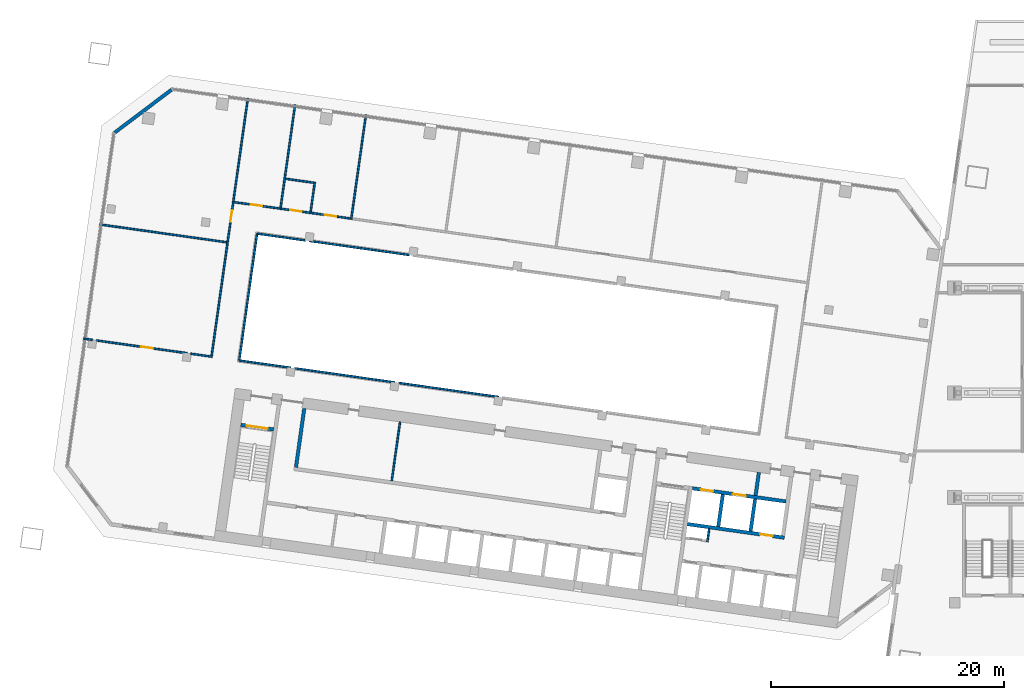
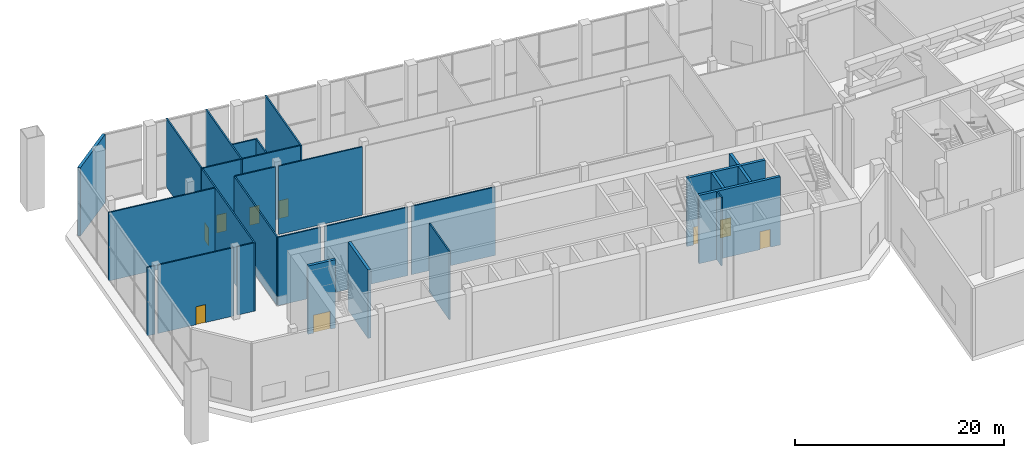
# One storey, part 18 of 31: 28 walls, 9 doors, 9 openings.
"""IFC4 building model written with IfcOpenShell, lengths in metres."""

from ifc_helpers import new_model, si_unit, direction, frame, frame_2d, origin, place, context, subcontext, project, spatial, rectangle, extrude, material, layer, layer_set, type_object, element, fill, save


model = new_model("IFC4")

# Units and contexts
model_context = context("Model", 3, precision=1e-05, world=origin(), true_north=direction((0.0, 1.0)))
body_context = subcontext(model_context, "Body", "Model", "MODEL_VIEW")
ifc_project = project(units=[si_unit("LENGTHUNIT", "METRE"), si_unit("AREAUNIT", "SQUARE_METRE"), si_unit("VOLUMEUNIT", "CUBIC_METRE"), si_unit("PLANEANGLEUNIT", "RADIAN"), si_unit("MASSUNIT", "GRAM", prefix="KILO")], contexts=[model_context])

# Site, building, storey
site_placement = place(None, origin())
site = spatial("IfcSite", under=ifc_project, at=site_placement, CompositionType="ELEMENT")
building_placement = place(site_placement, origin())
building = spatial("IfcBuilding", under=site, at=building_placement, Name="Mirante Cascada Hotel Towers", CompositionType="ELEMENT")
storey_placement = place(building_placement, frame((0.0, 0.0, 9.0)))
storey = spatial("IfcBuildingStorey", under=building, at=storey_placement, Name="L01", CompositionType="ELEMENT", Elevation=9.0)

# Walls
ifc_material_1 = material(Name="Masonry block", Category="masonry")
ifc_layer_1 = layer(ifc_material_1, 0.15)
ifc_layer_set_1 = layer_set([ifc_layer_1], Name="Core room partition 150 block EI 30")
wall_type_1 = type_object("IfcWallType", Name="Core room partition 150 block EI 30", PredefinedType="PARTITIONING", material=ifc_layer_set_1)
wall_1_placement = place(storey_placement, frame((-48.2295, -12.793, 0.0), z_axis=(0.0, 0.0, 1.0), x_axis=(0.1391935, 0.9902652, 0.0)))
element("IfcWall", 1, at=wall_1_placement, inside=storey, type_object=wall_type_1, Name="Core wall partition T1 L01 2", PredefinedType="PARTITIONING", context=body_context, shape_type="SweptSolid", body=[
    extrude(rectangle(XDim=1.1251, YDim=0.15, at=frame_2d((0.5626, 0.0))), origin(), (0.0, 0.0, 1.0), 8.0),
])
wall_2_placement = place(storey_placement, frame((-75.3131, -7.5476, 0.0), z_axis=(0.0, 0.0, 1.0), x_axis=(0.1391782, 0.9902673, 0.0)))
element("IfcWall", 2, at=wall_2_placement, inside=storey, type_object=wall_type_1, Name="Core wall partition T1 L01 5", PredefinedType="PARTITIONING", context=body_context, shape_type="SweptSolid", body=[
    extrude(rectangle(XDim=5.0999, YDim=0.15, at=frame_2d((2.55, 0.0))), origin(), (0.0, 0.0, 1.0), 8.0),
])
ifc_material_2 = material(Name="Masonry block", Category="masonry")
ifc_layer_2 = layer(ifc_material_2, 0.3)
ifc_layer_set_2 = layer_set([ifc_layer_2], Name="Core wall 300 block EI 120")
wall_type_2 = type_object("IfcWallType", Name="Core wall 300 block EI 120", PredefinedType="PARTITIONING", material=ifc_layer_set_2)
wall_3_placement = place(storey_placement, frame((-44.0843, -8.8061, 0.0), z_axis=(0.0, 0.0, 1.0), x_axis=(0.1391951, 0.990265, 0.0)))
element("IfcWall", 3, at=wall_3_placement, inside=storey, type_object=wall_type_2, Name="Core wall partition T1 L01 1", PredefinedType="PARTITIONING", context=body_context, shape_type="SweptSolid", body=[
    extrude(rectangle(XDim=2.0001, YDim=0.3, at=frame_2d((1.0001, 0.0))), origin(), (0.0, 0.0, 1.0), 8.0),
])
ifc_material_3 = material(Name="Masonry block", Category="masonry")
ifc_layer_3 = layer(ifc_material_3, 0.15)
ifc_layer_set_3 = layer_set([ifc_layer_3], Name="Corridor wall 150 block")
wall_type_3 = type_object("IfcWallType", Name="Corridor wall 150 block", PredefinedType="PARTITIONING", material=ifc_layer_set_3)
wall_4_placement = place(storey_placement, frame((-101.7725, 4.6536, 0.0), z_axis=(0.0, 0.0, 1.0), x_axis=(0.9902566, -0.1392548, 0.0)))
element("IfcWall", 4, at=wall_4_placement, inside=storey, type_object=wall_type_3, Name="Corridor wall T1 L01", PredefinedType="PARTITIONING", context=body_context, shape_type="SweptSolid", body=[
    extrude(rectangle(XDim=0.7756, YDim=0.15, at=frame_2d((0.3878, 0.0))), origin(), (0.0, 0.0, 1.0), 8.0),
])
wall_5_placement = place(storey_placement, frame((-88.3742, 2.7705, 0.0), z_axis=(0.0, 0.0, 1.0), x_axis=(0.9902682, -0.1391725, 0.0)))
element("IfcWall", 5, at=wall_5_placement, inside=storey, type_object=wall_type_3, Name="Corridor wall T1 L01", PredefinedType="PARTITIONING", context=body_context, shape_type="SweptSolid", body=[
    extrude(rectangle(XDim=4.4456, YDim=0.15, at=frame_2d((2.2228, 0.0))), origin(), (0.0, 0.0, 1.0), 8.0),
])
wall_6_placement = place(storey_placement, frame((-86.8433, 13.6635, 0.0), z_axis=(0.0, 0.0, 1.0), x_axis=(0.9902672, -0.1391794, 0.0)))
element("IfcWall", 6, at=wall_6_placement, inside=storey, type_object=wall_type_3, Name="Corridor wall T1 L01", PredefinedType="PARTITIONING", context=body_context, shape_type="SweptSolid", body=[
    extrude(rectangle(XDim=4.1658, YDim=0.15, at=frame_2d((2.0829, 0.0))), origin(), (0.0, 0.0, 1.0), 8.0),
])

# Wall, opening, door
wall_7_placement = place(storey_placement, frame((-88.9899, 16.3888, 0.0), z_axis=(0.0, 0.0, 1.0), x_axis=(0.9902667, -0.1391828, 0.0)))
wall_7 = element("IfcWall", 7, at=wall_7_placement, inside=storey, type_object=wall_type_3, Name="Corridor wall T1 L01", PredefinedType="PARTITIONING", context=body_context, shape_type="SweptSolid", body=[
    extrude(rectangle(XDim=4.1032, YDim=0.15, at=frame_2d((2.0516, 0.0))), origin(), (0.0, 0.0, 1.0), 8.0),
])
opening_1_placement = place(wall_7_placement, frame((1.5891, 0.0, 0.0)))
opening_1 = element("IfcOpeningElement", 8, at=opening_1_placement, cuts=wall_7, Name="Opening DP1-L01-10", PredefinedType="OPENING", context=body_context, shape_type="SweptSolid", body=[
    extrude(rectangle(XDim=1.0, YDim=2.1, at=frame_2d((0.5, 1.05))), frame((0.0, 0.075, 0.0), z_axis=(0.0, -1.0, 0.0), x_axis=(1.0, 0.0, 0.0)), (0.0, 0.0, 1.0), 0.15),
])
ifc_material_4 = material(Name="Timber door leaf", Category="wood")
door_type_1 = type_object("IfcDoorType", Name="Single door 1000x2100", OperationType="NOTDEFINED", PredefinedType="DOOR", material=ifc_material_4)
door_1_placement = place(opening_1_placement, origin())
door_1 = element("IfcDoor", 9, at=door_1_placement, inside=storey, type_object=door_type_1, Name="Door DP1-L01-10", OperationType="SINGLE_SWING_RIGHT", OverallHeight=2.1, OverallWidth=1.0, PredefinedType="DOOR", context=body_context, shape_type="SweptSolid", body=[
    extrude(rectangle(XDim=1.0, YDim=2.1, at=frame_2d((0.5, 1.05))), frame((0.0, 0.025, 0.0), z_axis=(0.0, -1.0, 0.0), x_axis=(1.0, 0.0, 0.0)), (0.0, 0.0, 1.0), 0.05),
])
fill(opening_1, door_1)

# Wall
wall_8_placement = place(storey_placement, frame((-88.3997, 2.8044, 0.0), z_axis=(0.0, 0.0, 1.0), x_axis=(0.1391764, 0.9902676, 0.0)))
element("IfcWall", 10, at=wall_8_placement, inside=storey, type_object=wall_type_3, Name="Corridor wall T1 L01", PredefinedType="PARTITIONING", context=body_context, shape_type="SweptSolid", body=[
    extrude(rectangle(XDim=10.9401, YDim=0.15, at=frame_2d((5.47, 0.0))), origin(), (0.0, 0.0, 1.0), 8.0),
])

# Wall, opening, door
wall_9_placement = place(storey_placement, frame((-90.791, 3.0345, 0.0), z_axis=(0.0, 0.0, 1.0), x_axis=(0.1391738, 0.990268, 0.0)))
wall_9 = element("IfcWall", 11, at=wall_9_placement, inside=storey, type_object=wall_type_3, Name="Corridor wall T1 L01", PredefinedType="PARTITIONING", context=body_context, shape_type="SweptSolid", body=[
    extrude(rectangle(XDim=13.55, YDim=0.15, at=frame_2d((6.775, 0.0))), origin(), (0.0, 0.0, 1.0), 8.0),
])
opening_2_placement = place(wall_9_placement, frame((11.775, 0.0, 0.0)))
opening_2 = element("IfcOpeningElement", 12, at=opening_2_placement, cuts=wall_9, Name="Opening DP1-L01-04", PredefinedType="OPENING", context=body_context, shape_type="SweptSolid", body=[
    extrude(rectangle(XDim=1.0, YDim=2.1, at=frame_2d((0.5, 1.05))), frame((0.0, 0.075, 0.0), z_axis=(0.0, -1.0, 0.0), x_axis=(1.0, 0.0, 0.0)), (0.0, 0.0, 1.0), 0.15),
])
door_2_placement = place(opening_2_placement, origin())
door_2 = element("IfcDoor", 13, at=door_2_placement, inside=storey, type_object=door_type_1, Name="Door DP1-L01-04", OperationType="SINGLE_SWING_RIGHT", OverallHeight=2.1, OverallWidth=1.0, PredefinedType="DOOR", context=body_context, shape_type="SweptSolid", body=[
    extrude(rectangle(XDim=1.0, YDim=2.1, at=frame_2d((0.5, 1.05))), frame((0.0, 0.025, 0.0), z_axis=(0.0, -1.0, 0.0), x_axis=(1.0, 0.0, 0.0)), (0.0, 0.0, 1.0), 0.05),
])
fill(opening_2, door_2)

wall_10_placement = place(storey_placement, frame((-100.679, 4.4999, 0.0), z_axis=(0.0, 0.0, 1.0), x_axis=(0.9902679, -0.1391746, 0.0)))
wall_10 = element("IfcWall", 14, at=wall_10_placement, inside=storey, type_object=wall_type_3, Name="Corridor wall T1 L01", PredefinedType="PARTITIONING", context=body_context, shape_type="SweptSolid", body=[
    extrude(rectangle(XDim=7.8714, YDim=0.15, at=frame_2d((3.9357, 0.0))), origin(), (0.0, 0.0, 1.0), 8.0),
])
opening_3_placement = place(wall_10_placement, frame((3.9133, 0.0, 0.0)))
opening_3 = element("IfcOpeningElement", 15, at=opening_3_placement, cuts=wall_10, Name="Opening DP1-L01-03", PredefinedType="OPENING", context=body_context, shape_type="SweptSolid", body=[
    extrude(rectangle(XDim=1.0, YDim=2.1, at=frame_2d((0.5, 1.05))), frame((0.0, 0.075, 0.0), z_axis=(0.0, -1.0, 0.0), x_axis=(1.0, 0.0, 0.0)), (0.0, 0.0, 1.0), 0.15),
])
door_3_placement = place(opening_3_placement, origin())
door_3 = element("IfcDoor", 16, at=door_3_placement, inside=storey, type_object=door_type_1, Name="Door DP1-L01-03", OperationType="SINGLE_SWING_LEFT", OverallHeight=2.1, OverallWidth=1.0, PredefinedType="DOOR", context=body_context, shape_type="SweptSolid", body=[
    extrude(rectangle(XDim=1.0, YDim=2.1, at=frame_2d((0.5, 1.05))), frame((0.0, 0.025, 0.0), z_axis=(0.0, -1.0, 0.0), x_axis=(1.0, 0.0, 0.0)), (0.0, 0.0, 1.0), 0.05),
])
fill(opening_3, door_3)

# Walls
wall_11_placement = place(storey_placement, frame((-92.5588, 3.3587, 0.0), z_axis=(0.0, 0.0, 1.0), x_axis=(0.9902659, -0.1391884, 0.0)))
element("IfcWall", 17, at=wall_11_placement, inside=storey, type_object=wall_type_3, Name="Corridor wall T1 L01", PredefinedType="PARTITIONING", context=body_context, shape_type="SweptSolid", body=[
    extrude(rectangle(XDim=1.7307, YDim=0.15, at=frame_2d((0.8654, 0.0))), origin(), (0.0, 0.0, 1.0), 8.0),
])
for number, where, z_axis, x_axis, name in (
    (18, (-83.6464, 2.1061, 0.0), (0.0, 0.0, 1.0), (0.9902682, -0.139172, 0.0), "Corridor wall T1 L01"),
    (19, (-74.734, 0.8535, 0.0), (0.0, 0.0, 1.0), (0.9902682, -0.139172, 0.0), "Corridor wall T1 L01"),
    (20, (-82.3925, 13.038, 0.0), (0.0, 0.0, 1.0), (0.9902682, -0.139172, 0.0), "Corridor wall T1 L01"),
):
    element("IfcWall", number, at=place(storey_placement, frame(where, z_axis=z_axis, x_axis=x_axis)), inside=storey, type_object=wall_type_3, Name=name, PredefinedType="PARTITIONING", context=body_context, shape_type="SweptSolid", body=[
        extrude(rectangle(XDim=8.6713, YDim=0.15, at=frame_2d((4.3356, 0.0))), origin(), (0.0, 0.0, 1.0), 8.0),
    ])
ifc_material_5 = material(Name="Masonry block", Category="masonry")
ifc_layer_4 = layer(ifc_material_5, 0.15)
ifc_layer_set_4 = layer_set([ifc_layer_4], Name="Partition 150 block")
wall_type_4 = type_object("IfcWallType", Name="Partition 150 block", PredefinedType="PARTITIONING", material=ifc_layer_set_4)
wall_12_placement = place(storey_placement, frame((-100.3947, 14.4572, 0.0), z_axis=(0.0, 0.0, 1.0), x_axis=(0.9902679, -0.1391746, 0.0)))
element("IfcWall", 21, at=wall_12_placement, inside=storey, type_object=wall_type_4, Name="Partition T1 L01", PredefinedType="PARTITIONING", context=body_context, shape_type="SweptSolid", body=[
    extrude(rectangle(XDim=11.025, YDim=0.15, at=frame_2d((5.5125, 0.0))), origin(), (0.0, 0.0, 1.0), 8.0),
])
wall_13_placement = place(storey_placement, frame((-88.9065, 16.4427, 0.0), z_axis=(0.0, 0.0, 1.0), x_axis=(0.1391725, 0.9902682, 0.0)))
element("IfcWall", 22, at=wall_13_placement, inside=storey, type_object=wall_type_4, Name="Partition T1 L01", PredefinedType="PARTITIONING", context=body_context, shape_type="SweptSolid", body=[
    extrude(rectangle(XDim=8.935, YDim=0.15, at=frame_2d((4.4675, 0.0))), origin(), (0.0, 0.0, 1.0), 8.0),
])
ifc_material_6 = material(Name="Precast concrete C40/50", Category="concrete")
ifc_layer_5 = layer(ifc_material_6, 0.3)
ifc_layer_set_5 = layer_set([ifc_layer_5], Name="Precast concrete C40/50 cladding wall 300")
wall_type_5 = type_object("IfcWallType", Name="Precast concrete C40/50 cladding wall 300", PredefinedType="STANDARD", material=ifc_layer_set_5)
wall_14_placement = place(storey_placement, frame((-99.0919, 22.3343, 0.0), z_axis=(0.0, 0.0, 1.0), x_axis=(0.7986362, 0.6018141, 0.0)))
element("IfcWall", 23, at=wall_14_placement, inside=storey, type_object=wall_type_5, Name="Corner cladding wall T1 L01 outer front", PredefinedType="STANDARD", context=body_context, shape_type="SweptSolid", body=[
    extrude(rectangle(XDim=6.1157, YDim=0.3, at=frame_2d((3.0578, 0.0))), origin(), (0.0, 0.0, 1.0), 8.0),
])

# Wall, opening, door
ifc_material_7 = material(Name="Concrete C50/60", Category="concrete")
ifc_layer_6 = layer(ifc_material_7, 0.3)
ifc_layer_set_6 = layer_set([ifc_layer_6], Name="RC core wall 300 C50/60")
wall_type_6 = type_object("IfcWallType", Name="RC core wall 300 C50/60", PredefinedType="SHEAR", material=ifc_layer_set_6)
wall_15_placement = place(storey_placement, frame((-85.4489, -3.1441, 0.0), z_axis=(0.0, 0.0, 1.0), x_axis=(-0.9902697, 0.1391613, 0.0)))
wall_15 = element("IfcWall", 24, at=wall_15_placement, inside=storey, type_object=wall_type_6, Name="Core wall T1:L01:11", PredefinedType="SHEAR", context=body_context, shape_type="SweptSolid", body=[
    extrude(rectangle(XDim=2.8499, YDim=0.3, at=frame_2d((1.425, 0.0))), origin(), (0.0, 0.0, 1.0), 8.0),
])
opening_4_placement = place(wall_15_placement, frame((0.525, 0.0, 0.0)))
opening_4 = element("IfcOpeningElement", 25, at=opening_4_placement, cuts=wall_15, Name="Opening D1-01-C20", PredefinedType="OPENING", context=body_context, shape_type="SweptSolid", body=[
    extrude(rectangle(XDim=1.8, YDim=2.1, at=frame_2d((0.9, 1.05))), frame((0.0, 0.15, 0.0), z_axis=(0.0, -1.0, 0.0), x_axis=(1.0, 0.0, 0.0)), (0.0, 0.0, 1.0), 0.3),
])
ifc_material_8 = material(Name="Hollow metal fire door leaf")
door_type_2 = type_object("IfcDoorType", Name="Double fire door 1800x2100 FD60", OperationType="DOUBLE_DOOR_SINGLE_SWING", PredefinedType="DOOR", material=ifc_material_8)
door_4_placement = place(opening_4_placement, origin())
door_4 = element("IfcDoor", 26, at=door_4_placement, inside=storey, type_object=door_type_2, Name="Stair door T1 L01 20", OperationType="DOUBLE_DOOR_SINGLE_SWING", OverallHeight=2.1, OverallWidth=1.8, PredefinedType="DOOR", context=body_context, shape_type="SweptSolid", body=[
    extrude(rectangle(XDim=0.895, YDim=2.1, at=frame_2d((0.4475, 1.05))), frame((0.0, 0.025, 0.0), z_axis=(0.0, -1.0, 0.0), x_axis=(1.0, 0.0, 0.0)), (0.0, 0.0, 1.0), 0.05),
    extrude(rectangle(XDim=0.895, YDim=2.1, at=frame_2d((1.3525, 1.05))), frame((0.0, 0.025, 0.0), z_axis=(0.0, -1.0, 0.0), x_axis=(1.0, 0.0, 0.0)), (0.0, 0.0, 1.0), 0.05),
])
fill(opening_4, door_4)

wall_16_placement = place(storey_placement, frame((-41.6153, -12.435, 0.0), z_axis=(0.0, 0.0, 1.0), x_axis=(-0.9902691, 0.139166, 0.0)))
wall_16 = element("IfcWall", 27, at=wall_16_placement, inside=storey, type_object=wall_type_6, Name="Core wall T1:L01:13", PredefinedType="SHEAR", context=body_context, shape_type="SweptSolid", body=[
    extrude(rectangle(XDim=8.4, YDim=0.3, at=frame_2d((4.2, 0.0))), origin(), (0.0, 0.0, 1.0), 8.0),
])
opening_5_placement = place(wall_16_placement, frame((1.0, 0.0, 0.0)))
opening_5 = element("IfcOpeningElement", 28, at=opening_5_placement, cuts=wall_16, Name="Opening LD", PredefinedType="OPENING", context=body_context, shape_type="SweptSolid", body=[
    extrude(rectangle(XDim=1.1, YDim=2.1, at=frame_2d((0.55, 1.05))), frame((0.0, 0.15, 0.0), z_axis=(0.0, -1.0, 0.0), x_axis=(1.0, 0.0, 0.0)), (0.0, 0.0, 1.0), 0.3),
])
ifc_material_9 = material(Name="Stainless steel", Category="steel")
door_type_3 = type_object("IfcDoorType", Name="Lift landing door 1100x2100 EI 120", OperationType="DOUBLE_DOOR_SLIDING", PredefinedType="DOOR", material=ifc_material_9)
door_5_placement = place(opening_5_placement, origin())
door_5 = element("IfcDoor", 29, at=door_5_placement, inside=storey, type_object=door_type_3, Name="Lift landing door HR1-4 L01", OperationType="DOUBLE_DOOR_SLIDING", OverallHeight=2.1, OverallWidth=1.1, PredefinedType="DOOR", context=body_context, shape_type="SweptSolid", body=[
    extrude(rectangle(XDim=0.545, YDim=2.1, at=frame_2d((0.2725, 1.05))), frame((0.0, 0.025, 0.0), z_axis=(0.0, -1.0, 0.0), x_axis=(1.0, 0.0, 0.0)), (0.0, 0.0, 1.0), 0.05),
    extrude(rectangle(XDim=0.545, YDim=2.1, at=frame_2d((0.8275, 1.05))), frame((0.0, 0.025, 0.0), z_axis=(0.0, -1.0, 0.0), x_axis=(1.0, 0.0, 0.0)), (0.0, 0.0, 1.0), 0.05),
])
fill(opening_5, door_5)

# Wall, openings, doors
wall_17_placement = place(storey_placement, frame((-41.481, -9.3234, 0.0), z_axis=(0.0, 0.0, 1.0), x_axis=(-0.9902679, 0.1391741, 0.0)))
wall_17 = element("IfcWall", 30, at=wall_17_placement, inside=storey, type_object=wall_type_6, Name="Core wall T1:L01:14", PredefinedType="SHEAR", context=body_context, shape_type="SweptSolid", body=[
    extrude(rectangle(XDim=8.0999, YDim=0.3, at=frame_2d((4.05, 0.0))), origin(), (0.0, 0.0, 1.0), 8.0),
])
opening_6_placement = place(wall_17_placement, frame((3.5, 0.0, 0.0)))
opening_6 = element("IfcOpeningElement", 31, at=opening_6_placement, cuts=wall_17, Name="Opening LD", PredefinedType="OPENING", context=body_context, shape_type="SweptSolid", body=[
    extrude(rectangle(XDim=1.1, YDim=2.1, at=frame_2d((0.55, 1.05))), frame((0.0, 0.15, 0.0), z_axis=(0.0, -1.0, 0.0), x_axis=(1.0, 0.0, 0.0)), (0.0, 0.0, 1.0), 0.3),
])
opening_7_placement = place(wall_17_placement, frame((6.3, 0.0, 0.0)))
opening_7 = element("IfcOpeningElement", 32, at=opening_7_placement, cuts=wall_17, Name="Opening LD", PredefinedType="OPENING", context=body_context, shape_type="SweptSolid", body=[
    extrude(rectangle(XDim=1.1, YDim=2.1, at=frame_2d((0.55, 1.05))), frame((0.0, 0.15, 0.0), z_axis=(0.0, -1.0, 0.0), x_axis=(1.0, 0.0, 0.0)), (0.0, 0.0, 1.0), 0.3),
])
door_6_placement = place(opening_6_placement, origin())
door_6 = element("IfcDoor", 33, at=door_6_placement, inside=storey, type_object=door_type_3, Name="Lift landing door FF1 L01", OperationType="DOUBLE_DOOR_SLIDING", OverallHeight=2.1, OverallWidth=1.1, PredefinedType="DOOR", context=body_context, shape_type="SweptSolid", body=[
    extrude(rectangle(XDim=0.545, YDim=2.1, at=frame_2d((0.2725, 1.05))), frame((0.0, 0.025, 0.0), z_axis=(0.0, -1.0, 0.0), x_axis=(1.0, 0.0, 0.0)), (0.0, 0.0, 1.0), 0.05),
    extrude(rectangle(XDim=0.545, YDim=2.1, at=frame_2d((0.8275, 1.05))), frame((0.0, 0.025, 0.0), z_axis=(0.0, -1.0, 0.0), x_axis=(1.0, 0.0, 0.0)), (0.0, 0.0, 1.0), 0.05),
])
fill(opening_6, door_6)
door_7_placement = place(opening_7_placement, origin())
door_7 = element("IfcDoor", 34, at=door_7_placement, inside=storey, type_object=door_type_3, Name="Lift landing door FF2 L01", OperationType="DOUBLE_DOOR_SLIDING", OverallHeight=2.1, OverallWidth=1.1, PredefinedType="DOOR", context=body_context, shape_type="SweptSolid", body=[
    extrude(rectangle(XDim=0.545, YDim=2.1, at=frame_2d((0.2725, 1.05))), frame((0.0, 0.025, 0.0), z_axis=(0.0, -1.0, 0.0), x_axis=(1.0, 0.0, 0.0)), (0.0, 0.0, 1.0), 0.05),
    extrude(rectangle(XDim=0.545, YDim=2.1, at=frame_2d((0.8275, 1.05))), frame((0.0, 0.025, 0.0), z_axis=(0.0, -1.0, 0.0), x_axis=(1.0, 0.0, 0.0)), (0.0, 0.0, 1.0), 0.05),
])
fill(opening_7, door_7)

# Walls
for number, where, z_axis, x_axis, name in (
    (35, (-44.5157, -11.8759, 0.0), (0.0, 0.0, 1.0), (0.139181, 0.990267, 0.0), "Core wall T1:L01:18"),
    (36, (-47.2885, -11.4862, 0.0), (0.0, 0.0, 1.0), (0.139181, 0.990267, 0.0), "Core wall T1:L01:19"),
):
    element("IfcWall", number, at=place(storey_placement, frame(where, z_axis=z_axis, x_axis=x_axis)), inside=storey, type_object=wall_type_6, Name=name, PredefinedType="SHEAR", context=body_context, shape_type="SweptSolid", body=[
        extrude(rectangle(XDim=2.8, YDim=0.3, at=frame_2d((1.4, 0.0))), origin(), (0.0, 0.0, 1.0), 8.0),
    ])
wall_18_placement = place(storey_placement, frame((-83.5323, -6.3925, 0.0), z_axis=(0.0, 0.0, 1.0), x_axis=(0.1391755, 0.9902677, 0.0)))
element("IfcWall", 37, at=wall_18_placement, inside=storey, type_object=wall_type_6, Name="Core wall T1:L01:36", PredefinedType="SHEAR", context=body_context, shape_type="SweptSolid", body=[
    extrude(rectangle(XDim=5.1, YDim=0.3, at=frame_2d((2.55, 0.0))), origin(), (0.0, 0.0, 1.0), 8.0),
])

# Wall, openings, doors
ifc_material_10 = material(Name="Masonry block", Category="masonry")
ifc_layer_7 = layer(ifc_material_10, 0.15)
ifc_layer_set_7 = layer_set([ifc_layer_7], Name="Wet room wall 150 block")
wall_type_7 = type_object("IfcWallType", Name="Wet room wall 150 block", PredefinedType="PARTITIONING", material=ifc_layer_set_7)
wall_19_placement = place(storey_placement, frame((-84.7979, 15.7996, 0.0), z_axis=(0.0, 0.0, 1.0), x_axis=(0.9902678, -0.1391753, 0.0)))
wall_19 = element("IfcWall", 38, at=wall_19_placement, inside=storey, type_object=wall_type_7, Name="Wet room wall T1 L01", PredefinedType="PARTITIONING", context=body_context, shape_type="SweptSolid", body=[
    extrude(rectangle(XDim=6.0097, YDim=0.15, at=frame_2d((3.0048, 0.0))), origin(), (0.0, 0.0, 1.0), 8.0),
])
opening_8_placement = place(wall_19_placement, frame((3.7723, 0.0, 0.0)))
opening_8 = element("IfcOpeningElement", 39, at=opening_8_placement, cuts=wall_19, Name="Opening DP1-L01-09", PredefinedType="OPENING", context=body_context, shape_type="SweptSolid", body=[
    extrude(rectangle(XDim=1.0, YDim=2.1, at=frame_2d((0.5, 1.05))), frame((0.0, 0.075, 0.0), z_axis=(0.0, -1.0, 0.0), x_axis=(1.0, 0.0, 0.0)), (0.0, 0.0, 1.0), 0.15),
])
opening_9_placement = place(wall_19_placement, frame((0.7675, 0.0, 0.0)))
opening_9 = element("IfcOpeningElement", 40, at=opening_9_placement, cuts=wall_19, Name="Opening DP1-L01-11", PredefinedType="OPENING", context=body_context, shape_type="SweptSolid", body=[
    extrude(rectangle(XDim=1.0, YDim=2.1, at=frame_2d((0.5, 1.05))), frame((0.0, 0.075, 0.0), z_axis=(0.0, -1.0, 0.0), x_axis=(1.0, 0.0, 0.0)), (0.0, 0.0, 1.0), 0.15),
])
door_8_placement = place(opening_8_placement, origin())
door_8 = element("IfcDoor", 41, at=door_8_placement, inside=storey, type_object=door_type_1, Name="Door DP1-L01-09", OperationType="SINGLE_SWING_LEFT", OverallHeight=2.1, OverallWidth=1.0, PredefinedType="DOOR", context=body_context, shape_type="SweptSolid", body=[
    extrude(rectangle(XDim=1.0, YDim=2.1, at=frame_2d((0.5, 1.05))), frame((0.0, 0.025, 0.0), z_axis=(0.0, -1.0, 0.0), x_axis=(1.0, 0.0, 0.0)), (0.0, 0.0, 1.0), 0.05),
])
fill(opening_8, door_8)
door_9_placement = place(opening_9_placement, origin())
door_9 = element("IfcDoor", 42, at=door_9_placement, inside=storey, type_object=door_type_1, Name="Door DP1-L01-11", OperationType="SINGLE_SWING_LEFT", OverallHeight=2.1, OverallWidth=1.0, PredefinedType="DOOR", context=body_context, shape_type="SweptSolid", body=[
    extrude(rectangle(XDim=1.0, YDim=2.1, at=frame_2d((0.5, 1.05))), frame((0.0, 0.025, 0.0), z_axis=(0.0, -1.0, 0.0), x_axis=(1.0, 0.0, 0.0)), (0.0, 0.0, 1.0), 0.05),
])
fill(opening_9, door_9)

# Walls
wall_20_placement = place(storey_placement, frame((-84.4262, 18.3729, 0.0), z_axis=(0.0, 0.0, 1.0), x_axis=(0.9902726, -0.139141, 0.0)))
element("IfcWall", 43, at=wall_20_placement, inside=storey, type_object=wall_type_7, Name="Wet room wall T1 L01", PredefinedType="PARTITIONING", context=body_context, shape_type="SweptSolid", body=[
    extrude(rectangle(XDim=2.45, YDim=0.15, at=frame_2d((1.225, 0.0))), origin(), (0.0, 0.0, 1.0), 8.0),
])
wall_21_placement = place(storey_placement, frame((-78.7927, 14.8799, 0.0), z_axis=(0.0, 0.0, 1.0), x_axis=(0.1391733, 0.990268, 0.0)))
element("IfcWall", 44, at=wall_21_placement, inside=storey, type_object=wall_type_7, Name="Wet room wall T1 L01", PredefinedType="PARTITIONING", context=body_context, shape_type="SweptSolid", body=[
    extrude(rectangle(XDim=9.075, YDim=0.15, at=frame_2d((4.5375, 0.0))), origin(), (0.0, 0.0, 1.0), 8.0),
])
wall_22_placement = place(storey_placement, frame((-82.2771, 15.5211, 0.0), z_axis=(0.0, 0.0, 1.0), x_axis=(0.1391541, 0.9902707, 0.0)))
element("IfcWall", 45, at=wall_22_placement, inside=storey, type_object=wall_type_7, Name="Wet room wall T1 L01", PredefinedType="PARTITIONING", context=body_context, shape_type="SweptSolid", body=[
    extrude(rectangle(XDim=2.6, YDim=0.15, at=frame_2d((1.3, 0.0))), origin(), (0.0, 0.0, 1.0), 8.0),
])
wall_23_placement = place(storey_placement, frame((-84.8727, 15.7344, 0.0), z_axis=(0.0, 0.0, 1.0), x_axis=(0.1391733, 0.990268, 0.0)))
element("IfcWall", 46, at=wall_23_placement, inside=storey, type_object=wall_type_7, Name="Wet room wall T1 L01", PredefinedType="PARTITIONING", context=body_context, shape_type="SweptSolid", body=[
    extrude(rectangle(XDim=9.075, YDim=0.15, at=frame_2d((4.5375, 0.0))), origin(), (0.0, 0.0, 1.0), 8.0),
])

save(model, "model.ifc")
